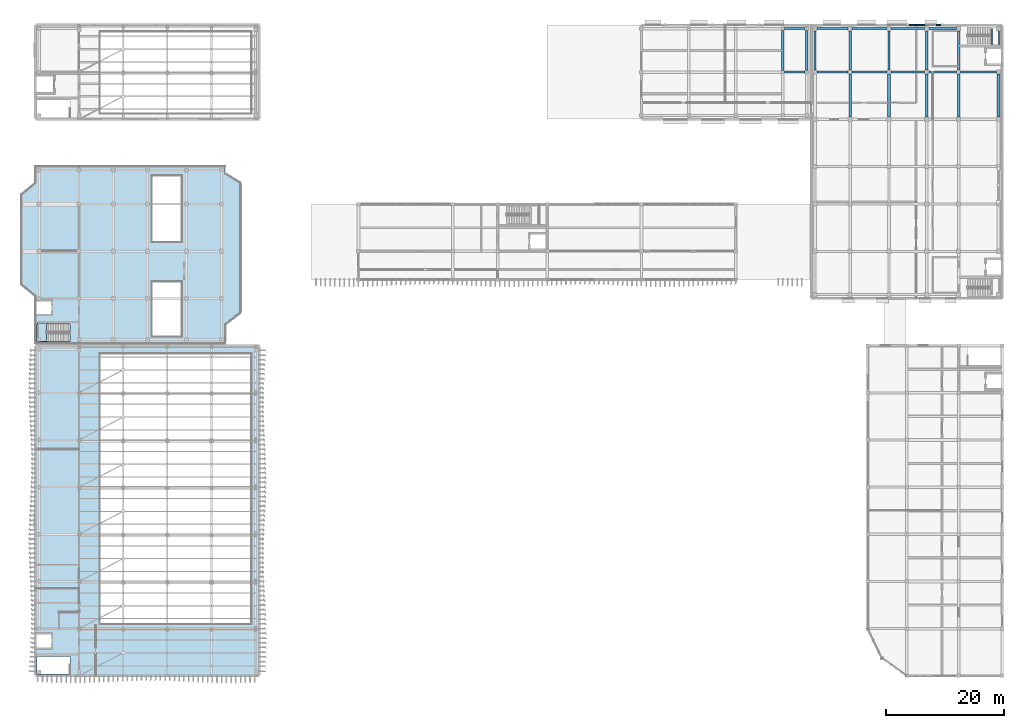
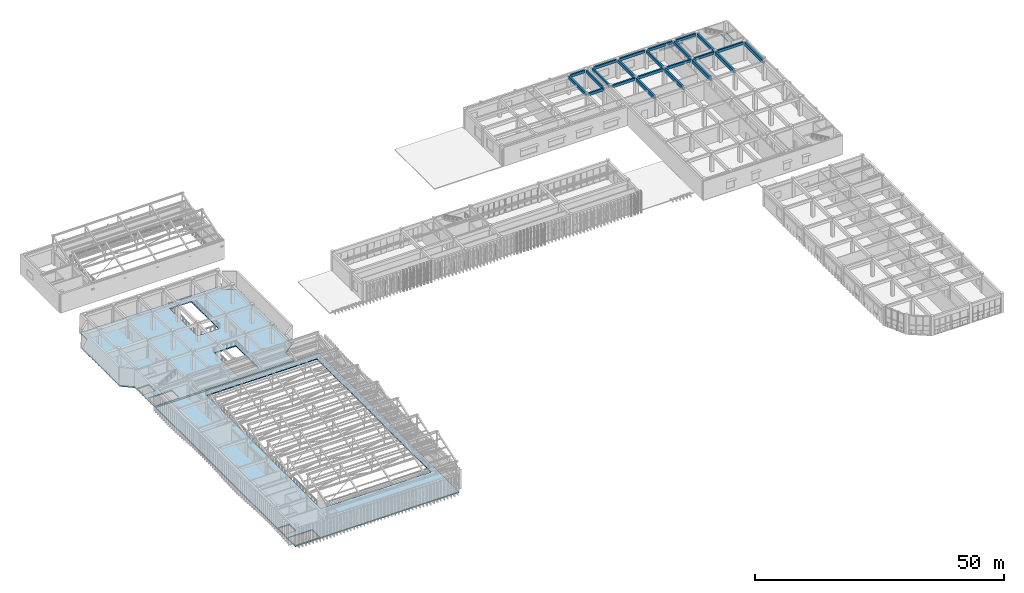
# One storey, part 42 of 76: 26 beams, 3 slabs, 1 element without a shape of its own.
"""IFC4 building model written with IfcOpenShell, lengths in metres."""

from ifc_helpers import new_model, si_unit, direction, frame, origin, origin_2d, place, context, subcontext, project, spatial, polyline, rectangle, i_section, outline, extrude, material, layer, layer_set, material_profile, profile_set, type_object, element, aggregate, save


model = new_model("IFC4")

# Units and contexts
model_context = context("Model", 3, precision=1e-05, world=origin(), true_north=direction((0.0, 1.0)))
body_context = subcontext(model_context, "Body", "Model", "MODEL_VIEW")
ifc_project = project(units=[si_unit("LENGTHUNIT", "METRE"), si_unit("AREAUNIT", "SQUARE_METRE"), si_unit("VOLUMEUNIT", "CUBIC_METRE"), si_unit("PLANEANGLEUNIT", "RADIAN"), si_unit("MASSUNIT", "GRAM", prefix="KILO")], contexts=[model_context])

# Site, building, storey
site_placement = place(None, origin())
site = spatial("IfcSite", under=ifc_project, at=site_placement, CompositionType="ELEMENT")
building_placement = place(site_placement, origin())
building = spatial("IfcBuilding", under=site, at=building_placement, Name="Cinchona Park Media Centre", CompositionType="ELEMENT")
storey_placement = place(building_placement, frame((0.0, 0.0, 15.60009765625)))
storey = spatial("IfcBuildingStorey", under=building, at=storey_placement, Name="L03", CompositionType="ELEMENT", Elevation=15.60009765625)

# Beams
ifc_material_1 = material(Name="Concrete C35/45", Category="concrete")
ifc_material_profile_1 = material_profile(ifc_material_1, rectangle(XDim=0.39990234375, YDim=0.75, at=origin_2d()), Name="RB 400X750")
ifc_profile_set_1 = profile_set([ifc_material_profile_1], Name="Concrete C35/45")
beam_type_1 = type_object("IfcBeamType", Name="BEAM-B01-RB400X750", PredefinedType="BEAM", material=ifc_profile_set_1)
for number, where, z_axis, x_axis, name in (
    (1, (134.800048828125, 110.300048828125, 4.179931640625), (0.0, 1.0, 0.0), (-1.0, 0.0, 0.0), "Girder B01 L03"),
    (2, (138.860107421875, 110.300048828125, 4.179931640625), (0.0, 1.0, 0.0), (-1.0, 0.0, 0.0), "Girder B01 L03"),
):
    element("IfcBeam", number, at=place(storey_placement, frame(where, z_axis=z_axis, x_axis=x_axis)), inside=storey, type_object=beam_type_1, Name=name, PredefinedType="BEAM", context=body_context, shape_type="SweptSolid", body=[
        extrude(rectangle(XDim=0.39990234375, YDim=0.75, at=origin_2d()), origin(), (0.0, 0.0, 1.0), 6.760009765625),
    ])
for number, where, z_axis, x_axis, name in (
    (3, (140.239990234375, 110.35009765625, 4.204833984375), (0.0, 1.0, 0.0), (-1.0, 0.0, 0.0), "Girder B01 L03"),
    (4, (146.199951171875, 110.35009765625, 4.204833984375), (0.0, 1.0, 0.0), (-1.0, 0.0, 0.0), "Girder B01 L03"),
    (5, (152.800048828125, 110.35009765625, 4.204833984375), (0.0, 1.0, 0.0), (-1.0, 0.0, 0.0), "Girder B01 L03"),
    (6, (159.199951171875, 110.35009765625, 4.204833984375), (0.0, 1.0, 0.0), (-1.0, 0.0, 0.0), "Girder B01 L03"),
    (7, (164.60009765625, 110.35009765625, 4.204833984375), (0.0, 1.0, 0.0), (-1.0, 0.0, 0.0), "Girder B01 L03"),
):
    element("IfcBeam", number, at=place(storey_placement, frame(where, z_axis=z_axis, x_axis=x_axis)), inside=storey, type_object=beam_type_1, Name=name, PredefinedType="BEAM", context=body_context, shape_type="SweptSolid", body=[
        extrude(rectangle(XDim=0.39990234375, YDim=0.75, at=origin_2d()), origin(), (0.0, 0.0, 1.0), 6.659912109375),
    ])
ifc_material_2 = material(Name="Concrete C35/45", Category="concrete")
ifc_material_profile_2 = material_profile(ifc_material_2, rectangle(XDim=0.449951171875, YDim=0.85009765625, at=origin_2d()), Name="RB 450X850")
ifc_profile_set_2 = profile_set([ifc_material_profile_2], Name="Concrete C35/45")
beam_type_2 = type_object("IfcBeamType", Name="BEAM-B02-RB450X850", PredefinedType="BEAM", material=ifc_profile_set_2)
for number, where, z_axis, x_axis, name in (
    (8, (146.199951171875, 102.35009765625, 4.15478515625), (0.0, 1.0, 0.0), (-1.0, 0.0, 0.0), "Girder B02 L03"),
    (9, (152.800048828125, 102.35009765625, 4.15478515625), (0.0, 1.0, 0.0), (-1.0, 0.0, 0.0), "Girder B02 L03"),
    (10, (159.199951171875, 102.35009765625, 4.15478515625), (0.0, 1.0, 0.0), (-1.0, 0.0, 0.0), "Girder B02 L03"),
    (11, (164.60009765625, 102.35009765625, 4.15478515625), (0.0, 1.0, 0.0), (-1.0, 0.0, 0.0), "Girder B02 L03"),
    (12, (171.360107421875, 102.35009765625, 4.15478515625), (0.0, 1.0, 0.0), (-1.0, 0.0, 0.0), "Girder B02 L03"),
):
    element("IfcBeam", number, at=place(storey_placement, frame(where, z_axis=z_axis, x_axis=x_axis)), inside=storey, type_object=beam_type_2, Name=name, PredefinedType="BEAM", context=body_context, shape_type="SweptSolid", body=[
        extrude(rectangle(XDim=0.449951171875, YDim=0.85009765625, at=origin_2d()), origin(), (0.0, 0.0, 1.0), 7.2998046875),
    ])
ifc_material_3 = material(Name="Concrete C35/45", Category="concrete")
ifc_material_profile_3 = material_profile(ifc_material_3, rectangle(XDim=0.35009765625, YDim=0.64990234375, at=origin_2d()), Name="RB 350X650")
ifc_profile_set_3 = profile_set([ifc_material_profile_3], Name="Concrete C35/45")
beam_type_3 = type_object("IfcBeamType", Name="BEAM-B04-RB350X650", PredefinedType="BEAM", material=ifc_profile_set_3)
for number, where, z_axis, x_axis, name in (
    (13, (135.10009765625, 110.0, 4.22998046875), (1.0, 0.0, 0.0), (0.0, 1.0, 0.0), "Beam B04 L03"),
    (14, (135.10009765625, 117.360107421875, 4.22998046875), (1.0, 0.0, 0.0), (0.0, 1.0, 0.0), "Beam B04 L03"),
):
    element("IfcBeam", number, at=place(storey_placement, frame(where, z_axis=z_axis, x_axis=x_axis)), inside=storey, type_object=beam_type_3, Name=name, PredefinedType="BEAM", context=body_context, shape_type="SweptSolid", body=[
        extrude(rectangle(XDim=0.35009765625, YDim=0.64990234375, at=origin_2d()), origin(), (0.0, 0.0, 1.0), 3.4599609375),
    ])
beam_1_placement = place(storey_placement, frame((140.590087890625, 110.0, 4.2548828125), z_axis=(1.0, 0.0, 0.0), x_axis=(0.0, 1.0, 0.0)))
element("IfcBeam", 15, at=beam_1_placement, inside=storey, type_object=beam_type_3, Name="Beam B04 L03", PredefinedType="BEAM", context=body_context, shape_type="SweptSolid", body=[
    extrude(rectangle(XDim=0.35009765625, YDim=0.64990234375, at=origin_2d()), origin(), (0.0, 0.0, 1.0), 5.260009765625),
])
beam_2_placement = place(storey_placement, frame((146.550048828125, 110.0, 4.2548828125), z_axis=(1.0, 0.0, 0.0), x_axis=(0.0, 1.0, 0.0)))
element("IfcBeam", 16, at=beam_2_placement, inside=storey, type_object=beam_type_3, Name="Beam B04 L03", PredefinedType="BEAM", context=body_context, shape_type="SweptSolid", body=[
    extrude(rectangle(XDim=0.35009765625, YDim=0.64990234375, at=origin_2d()), origin(), (0.0, 0.0, 1.0), 5.89990234375),
])
beam_3_placement = place(storey_placement, frame((153.14990234375, 110.0, 4.2548828125), z_axis=(1.0, 0.0, 0.0), x_axis=(0.0, 1.0, 0.0)))
element("IfcBeam", 17, at=beam_3_placement, inside=storey, type_object=beam_type_3, Name="Beam B04 L03", PredefinedType="BEAM", context=body_context, shape_type="SweptSolid", body=[
    extrude(rectangle(XDim=0.35009765625, YDim=0.64990234375, at=origin_2d()), origin(), (0.0, 0.0, 1.0), 5.7001953125),
])
beam_4_placement = place(storey_placement, frame((159.550048828125, 110.0, 4.2548828125), z_axis=(1.0, 0.0, 0.0), x_axis=(0.0, 1.0, 0.0)))
element("IfcBeam", 18, at=beam_4_placement, inside=storey, type_object=beam_type_3, Name="Beam B04 L03", PredefinedType="BEAM", context=body_context, shape_type="SweptSolid", body=[
    extrude(rectangle(XDim=0.35009765625, YDim=0.64990234375, at=origin_2d()), origin(), (0.0, 0.0, 1.0), 4.699951171875),
])
beam_5_placement = place(storey_placement, frame((164.949951171875, 110.0, 4.2548828125), z_axis=(1.0, 0.0, 0.0), x_axis=(0.0, 1.0, 0.0)))
element("IfcBeam", 19, at=beam_5_placement, inside=storey, type_object=beam_type_3, Name="Beam B04 L03", PredefinedType="BEAM", context=body_context, shape_type="SweptSolid", body=[
    extrude(rectangle(XDim=0.35009765625, YDim=0.64990234375, at=origin_2d()), origin(), (0.0, 0.0, 1.0), 6.06005859375),
])
beam_6_placement = place(storey_placement, frame((140.590087890625, 117.360107421875, 4.2548828125), z_axis=(1.0, 0.0, 0.0), x_axis=(0.0, 1.0, 0.0)))
element("IfcBeam", 20, at=beam_6_placement, inside=storey, type_object=beam_type_3, Name="Beam B04 L03", PredefinedType="BEAM", context=body_context, shape_type="SweptSolid", body=[
    extrude(rectangle(XDim=0.35009765625, YDim=0.64990234375, at=origin_2d()), origin(), (0.0, 0.0, 1.0), 5.260009765625),
])
beam_7_placement = place(storey_placement, frame((146.550048828125, 117.360107421875, 4.2548828125), z_axis=(1.0, 0.0, 0.0), x_axis=(0.0, 1.0, 0.0)))
element("IfcBeam", 21, at=beam_7_placement, inside=storey, type_object=beam_type_3, Name="Beam B04 L03", PredefinedType="BEAM", context=body_context, shape_type="SweptSolid", body=[
    extrude(rectangle(XDim=0.35009765625, YDim=0.64990234375, at=origin_2d()), origin(), (0.0, 0.0, 1.0), 5.89990234375),
])
beam_8_placement = place(storey_placement, frame((153.14990234375, 117.360107421875, 4.2548828125), z_axis=(1.0, 0.0, 0.0), x_axis=(0.0, 1.0, 0.0)))
element("IfcBeam", 22, at=beam_8_placement, inside=storey, type_object=beam_type_3, Name="Beam B04 L03", PredefinedType="BEAM", context=body_context, shape_type="SweptSolid", body=[
    extrude(rectangle(XDim=0.35009765625, YDim=0.64990234375, at=origin_2d()), origin(), (0.0, 0.0, 1.0), 5.7001953125),
])
beam_9_placement = place(storey_placement, frame((159.550048828125, 117.360107421875, 4.2548828125), z_axis=(1.0, 0.0, 0.0), x_axis=(0.0, 1.0, 0.0)))
element("IfcBeam", 23, at=beam_9_placement, inside=storey, type_object=beam_type_3, Name="Beam B04 L03", PredefinedType="BEAM", context=body_context, shape_type="SweptSolid", body=[
    extrude(rectangle(XDim=0.35009765625, YDim=0.64990234375, at=origin_2d()), origin(), (0.0, 0.0, 1.0), 4.699951171875),
])
ifc_material_4 = material(Name="Steel S355", Category="steel")
ifc_material_profile_4 = material_profile(ifc_material_4, i_section(OverallWidth=0.202880859375, OverallDepth=0.202880859375, WebThickness=0.007080078125, FlangeThickness=0.010986328125, at=origin_2d()), Name="W200X46")
ifc_profile_set_4 = profile_set([ifc_material_profile_4], Name="Steel S355")
beam_type_4 = type_object("IfcBeamType", Name="BEAM-B10-W200X46", PredefinedType="BEAM", material=ifc_profile_set_4)
for number, where, z_axis, x_axis, name in (
    (24, (170.239990234375, 114.554931640625, 2.093505859375), (0.0, 1.0, 0.0), (-1.0, 0.0, 0.0), "Stair Landing Bearer Beam B10 ST2 L03"),
    (25, (171.4599609375, 114.554931640625, 2.093505859375), (0.0, 1.0, 0.0), (-1.0, 0.0, 0.0), "Stair Landing Bearer Beam B10 ST2 L03"),
):
    element("IfcBeam", number, at=place(storey_placement, frame(where, z_axis=z_axis, x_axis=x_axis)), inside=storey, type_object=beam_type_4, Name=name, PredefinedType="BEAM", context=body_context, shape_type="SweptSolid", body=[
        extrude(i_section(OverallWidth=0.202880859375, OverallDepth=0.202880859375, WebThickness=0.007080078125, FlangeThickness=0.010986328125, at=origin_2d()), origin(), (0.0, 0.0, 1.0), 2.844970703125),
    ])
ifc_material_5 = material(Name="Concrete C35/45", Category="concrete")
ifc_material_profile_5 = material_profile(ifc_material_5, rectangle(XDim=0.25, YDim=0.35009765625, at=origin_2d()), Name="RL 250X350")
ifc_profile_set_5 = profile_set([ifc_material_profile_5], Name="Concrete C35/45")
beam_type_5 = type_object("IfcBeamType", Name="BEAM-LN01-RL250X350", PredefinedType="LINTEL", material=ifc_profile_set_5)
beam_10_placement = place(storey_placement, frame((156.205078125, 118.0, 2.724853515625), z_axis=(1.0, 0.0, 0.0), x_axis=(0.0, 1.0, 0.0)))
element("IfcBeam", 26, at=beam_10_placement, inside=storey, type_object=beam_type_5, Name="Window Lintel LN01", PredefinedType="LINTEL", context=body_context, shape_type="SweptSolid", body=[
    extrude(rectangle(XDim=0.25, YDim=0.35009765625, at=origin_2d()), origin(), (0.0, 0.0, 1.0), 5.389892578125),
])

# Stair, slab
ifc_material_6 = material(Name="Concrete C35/45", Category="concrete")
stair_type = type_object("IfcStairType", Name="STAIR-ST3-HT48", PredefinedType="HALF_TURN_STAIR", material=ifc_material_6)
stair_placement = place(storey_placement, origin())
stair = element("IfcStair", 27, at=stair_placement, inside=storey, type_object=stair_type, Name="Exit Stair ST3 L03", PredefinedType="HALF_TURN_STAIR")
ifc_material_7 = material(Name="Concrete C35/45", Category="concrete")
ifc_layer_1 = layer(ifc_material_7, 0.205078125)
ifc_layer_set_1 = layer_set([ifc_layer_1], Name="Concrete C35/45")
slab_type_1 = type_object("IfcSlabType", Name="LANDING-LDG01", PredefinedType="LANDING", material=ifc_layer_set_1)
slab_1_placement = place(storey_placement, frame((0.0, 0.0, 2.19482421875)))
slab_1 = element("IfcSlab", 28, at=slab_1_placement, type_object=slab_type_1, Name="ST3 landing 1", PredefinedType="LANDING", context=body_context, shape_type="SweptSolid", body=[
    extrude(outline(polyline([(8.320068359375, 64.320068359375), (9.97998046875, 64.320068359375), (9.97998046875, 67.449951171875), (8.320068359375, 67.449951171875), (8.320068359375, 64.320068359375)])), origin(), (0.0, 0.0, 1.0), 0.205078125),
])
aggregate(stair, [slab_1])

# Slabs
ifc_material_8 = material(Name="Concrete C35/45", Category="concrete")
ifc_layer_2 = layer(ifc_material_8, 0.300048828125)
ifc_layer_set_2 = layer_set([ifc_layer_2], Name="Concrete C35/45")
slab_type_2 = type_object("IfcSlabType", Name="SLAB-SL03-300", PredefinedType="FLOOR", material=ifc_layer_set_2)
slab_2_placement = place(storey_placement, frame((0.0, 0.0, -0.300048828125)))
element("IfcSlab", 29, at=slab_2_placement, inside=storey, type_object=slab_type_2, Name="Floor Slab V4 L03", PredefinedType="FLOOR", context=body_context, shape_type="SweptSolid", body=[
    extrude(outline(polyline([(8.0, 64.0), (40.199951171875, 64.0), (40.199951171875, 67.199951171875), (42.800048828125, 69.199951171875), (42.800048828125, 91.199951171875), (40.199951171875, 92.800048828125), (40.199951171875, 94.0), (8.0, 94.0), (8.0, 91.199951171875), (5.60009765625, 89.199951171875), (5.60009765625, 74.0), (8.0, 72.0), (8.0, 64.0)]), holes=[polyline([(8.300048828125, 64.300048828125), (13.864990234375, 64.300048828125), (13.864990234375, 67.300048828125), (8.300048828125, 67.300048828125), (8.300048828125, 64.300048828125)]), polyline([(8.199951171875, 68.800048828125), (10.800048828125, 68.800048828125), (10.800048828125, 71.300048828125), (8.199951171875, 71.300048828125), (8.199951171875, 68.800048828125)]), polyline([(27.800048828125, 65.199951171875), (32.800048828125, 65.199951171875), (32.800048828125, 74.39990234375), (27.800048828125, 74.39990234375), (27.800048828125, 65.199951171875)]), polyline([(27.800048828125, 81.199951171875), (32.800048828125, 81.199951171875), (32.800048828125, 92.39990234375), (27.800048828125, 92.39990234375), (27.800048828125, 81.199951171875)])]), origin(), (0.0, 0.0, 1.0), 0.300048828125),
])
ifc_material_9 = material(Name="Concrete C35/45", Category="concrete")
ifc_layer_3 = layer(ifc_material_9, 0.239990234375)
ifc_layer_set_3 = layer_set([ifc_layer_3], Name="Concrete C35/45")
slab_type_3 = type_object("IfcSlabType", Name="SLAB-SL07-240", PredefinedType="FLOOR", material=ifc_layer_set_3)
slab_3_placement = place(storey_placement, frame((0.0, 0.0, -0.239990234375)))
element("IfcSlab", 30, at=slab_3_placement, inside=storey, type_object=slab_type_3, Name="Floor Slab V1 L03", PredefinedType="FLOOR", context=body_context, shape_type="SweptSolid", body=[
    extrude(outline(polyline([(8.0, 7.60009765625), (46.0, 7.60009765625), (46.0, 63.60009765625), (8.0, 63.60009765625), (8.0, 7.60009765625)]), holes=[polyline([(8.300048828125, 7.89990234375), (13.864990234375, 7.89990234375), (13.864990234375, 10.89990234375), (8.300048828125, 10.89990234375), (8.300048828125, 7.89990234375)]), polyline([(8.199951171875, 12.199951171875), (10.800048828125, 12.199951171875), (10.800048828125, 14.800048828125), (8.199951171875, 14.800048828125), (8.199951171875, 12.199951171875)]), polyline([(19.0, 16.39990234375), (44.60009765625, 16.39990234375), (44.60009765625, 62.199951171875), (19.0, 62.199951171875), (19.0, 16.39990234375)])]), origin(), (0.0, 0.0, 1.0), 0.239990234375),
])

save(model, "model.ifc")
